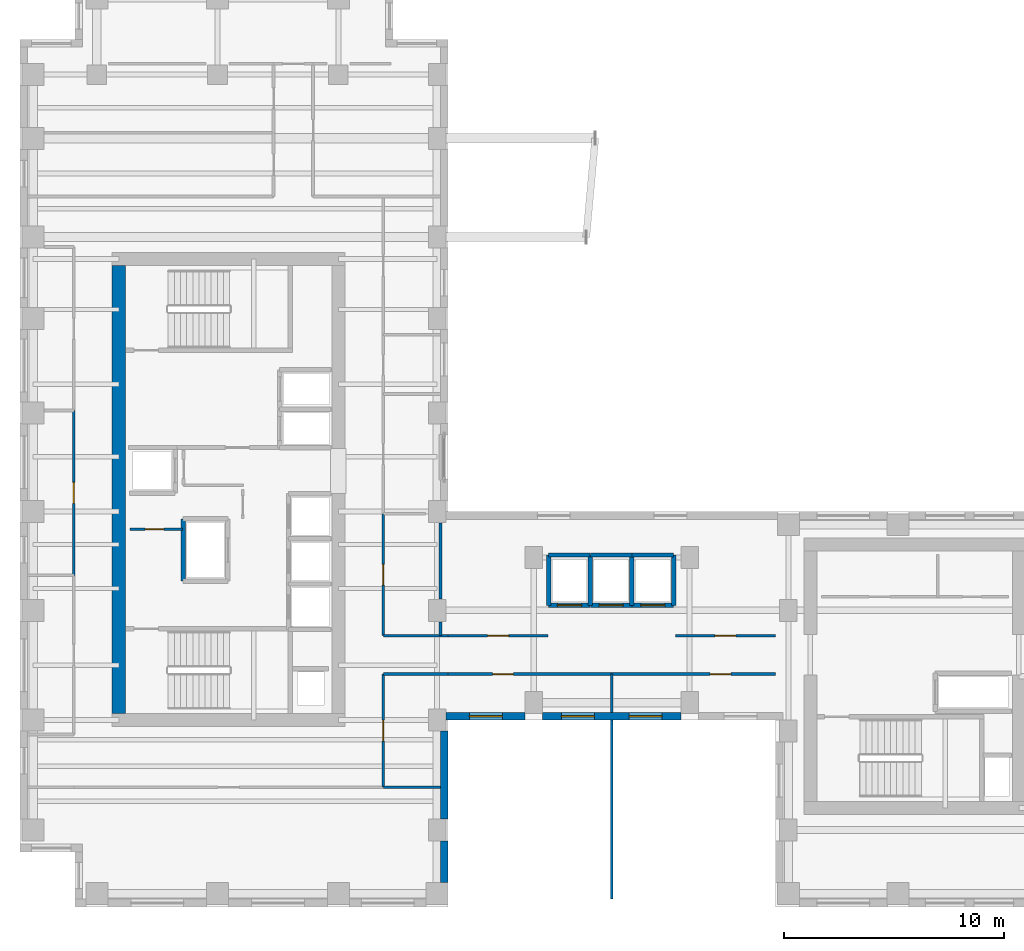
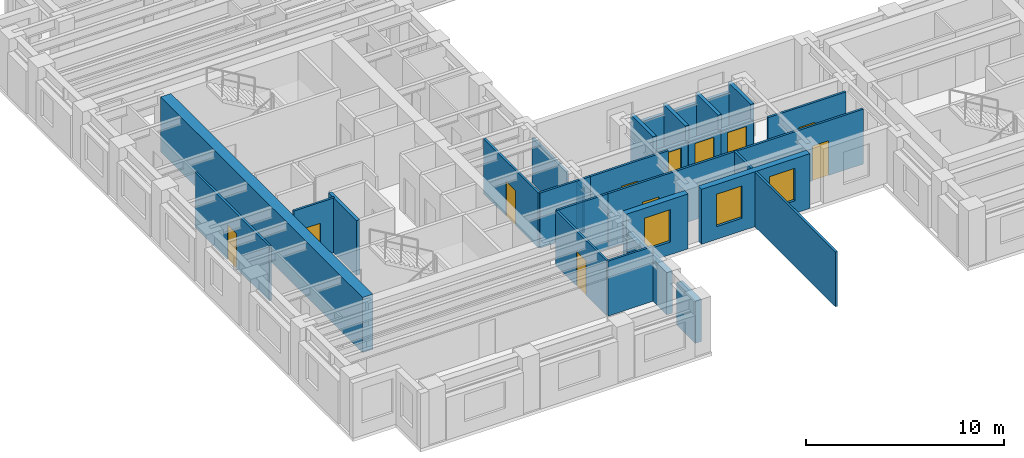
# One storey, part 6 of 13: 31 walls, 11 doors, 3 windows, 14 openings.
"""IFC4 building model written with IfcOpenShell, lengths in metres."""

from ifc_helpers import new_model, si_unit, direction, frame, frame_2d, origin, place, context, subcontext, project, spatial, rectangle, extrude, source, transform, mapped, material, layer, layer_set, type_object, element, fill, save


model = new_model("IFC4")

# Units and contexts
model_context = context("Model", 3, precision=1e-05, world=origin(), true_north=direction((0.0, 1.0)))
body_context = subcontext(model_context, "Body", "Model", "MODEL_VIEW")
ifc_project = project(units=[si_unit("LENGTHUNIT", "METRE"), si_unit("AREAUNIT", "SQUARE_METRE"), si_unit("VOLUMEUNIT", "CUBIC_METRE"), si_unit("PLANEANGLEUNIT", "RADIAN"), si_unit("MASSUNIT", "GRAM", prefix="KILO")], contexts=[model_context])

# Site, building, storey
site_placement = place(None, origin())
site = spatial("IfcSite", under=ifc_project, at=site_placement, CompositionType="ELEMENT")
building_placement = place(site_placement, origin())
building = spatial("IfcBuilding", under=site, at=building_placement, Name="Kharzan Plaza Tower", CompositionType="ELEMENT")
storey_placement = place(building_placement, frame((0.0, 0.0, 197.10009765625)))
storey = spatial("IfcBuildingStorey", under=building, at=storey_placement, Name="L53", CompositionType="ELEMENT", Elevation=197.10009765625)

# Wall, opening, window
ifc_material_1 = material(Name="Concrete C40/50", Category="concrete")
ifc_layer_1 = layer(ifc_material_1, 0.35009765625)
ifc_layer_set_1 = layer_set([ifc_layer_1], Name="Concrete C40/50")
wall_type_1 = type_object("IfcWallType", Name="WL-EXT-MAS-Z3", PredefinedType="SOLIDWALL", material=ifc_layer_set_1)
wall_1_placement = place(storey_placement, frame((19.39794921875, 8.675048828125, 0.0), z_axis=(0.0, 0.0, 1.0), x_axis=(1.0, 0.0, 0.0)))
wall_1 = element("IfcWall", 1, at=wall_1_placement, inside=storey, type_object=wall_type_1, Name="L53 Masonry-Frame Exterior Wall 26", PredefinedType="SOLIDWALL", context=body_context, shape_type="SweptSolid", body=[
    extrude(rectangle(XDim=3.60400390625, YDim=0.35009765625, at=frame_2d((1.802001953125, 0.0))), origin(), (0.0, 0.0, 1.0), 3.385009765625),
])
opening_1_placement = place(wall_1_placement, frame((1.067138671875, 0.0, 0.780029296875)))
opening_1 = element("IfcOpeningElement", 2, at=opening_1_placement, cuts=wall_1, Name="Opening W5", PredefinedType="OPENING", context=body_context, shape_type="SweptSolid", body=[
    extrude(rectangle(XDim=1.5, YDim=2.0, at=frame_2d((0.75, 1.0))), frame((0.0, 0.18505859375, 0.0), z_axis=(0.0, -1.0, 0.0), x_axis=(1.0, 0.0, 0.0)), (0.0, 0.0, 1.0), 0.3701171875),
])
ifc_material_2 = material(Name="Low-E Double Glazing", Category="glass")
window_type = type_object("IfcWindowType", Name="WN-SLT-1500x2000", PartitioningType="SINGLE_PANEL", PredefinedType="WINDOW", material=ifc_material_2)
shared_shape_1 = source(origin(), body_context, "Body", "SweptSolid", [
    extrude(rectangle(XDim=1.5, YDim=2.0, at=frame_2d((0.75, 1.0))), frame((0.0, 0.030029296875, 0.0), z_axis=(0.0, -1.0, 0.0), x_axis=(1.0, 0.0, 0.0)), (0.0, 0.0, 1.0), 0.06005859375),
])
window_1_placement = place(opening_1_placement, origin())
window_1 = element("IfcWindow", 3, at=window_1_placement, inside=storey, type_object=window_type, Name="L53 Recessed Solar-Control Window 26-1", OverallHeight=2.0, OverallWidth=1.5, PartitioningType="SINGLE_PANEL", PredefinedType="WINDOW", context=body_context, shape_type="MappedRepresentation", body=[
    mapped(shared_shape_1, transform((0.0, 0.0, 0.0), x_axis=(1.0, 0.0, 0.0), y_axis=(0.0, 1.0, 0.0), z_axis=(0.0, 0.0, 1.0))),
])
fill(opening_1, window_1)

# Wall, openings, windows
wall_2_placement = place(storey_placement, frame((23.798095703125, 8.675048828125, 0.0), z_axis=(0.0, 0.0, 1.0), x_axis=(1.0, 0.0, 0.0)))
wall_2 = element("IfcWall", 4, at=wall_2_placement, inside=storey, type_object=wall_type_1, Name="L53 Masonry-Frame Exterior Wall 27", PredefinedType="SOLIDWALL", context=body_context, shape_type="SweptSolid", body=[
    extrude(rectangle(XDim=6.303955078125, YDim=0.35009765625, at=frame_2d((3.15185546875, 0.0))), origin(), (0.0, 0.0, 1.0), 3.385009765625),
])
opening_2_placement = place(wall_2_placement, frame((0.861083984375, 0.0, 0.780029296875)))
opening_2 = element("IfcOpeningElement", 5, at=opening_2_placement, cuts=wall_2, Name="Opening W5", PredefinedType="OPENING", context=body_context, shape_type="SweptSolid", body=[
    extrude(rectangle(XDim=1.5, YDim=2.0, at=frame_2d((0.75, 1.0))), frame((0.0, 0.18505859375, 0.0), z_axis=(0.0, -1.0, 0.0), x_axis=(1.0, 0.0, 0.0)), (0.0, 0.0, 1.0), 0.3701171875),
])
opening_3_placement = place(wall_2_placement, frame((3.943115234375, 0.0, 0.780029296875)))
opening_3 = element("IfcOpeningElement", 6, at=opening_3_placement, cuts=wall_2, Name="Opening W5", PredefinedType="OPENING", context=body_context, shape_type="SweptSolid", body=[
    extrude(rectangle(XDim=1.5, YDim=2.0, at=frame_2d((0.75, 1.0))), frame((0.0, 0.18505859375, 0.0), z_axis=(0.0, -1.0, 0.0), x_axis=(1.0, 0.0, 0.0)), (0.0, 0.0, 1.0), 0.3701171875),
])
window_2_placement = place(opening_2_placement, origin())
window_2 = element("IfcWindow", 7, at=window_2_placement, inside=storey, type_object=window_type, Name="L53 Recessed Solar-Control Window 27-1", OverallHeight=2.0, OverallWidth=1.5, PartitioningType="SINGLE_PANEL", PredefinedType="WINDOW", context=body_context, shape_type="MappedRepresentation", body=[
    mapped(shared_shape_1, transform((0.0, 0.0, 0.0), x_axis=(1.0, 0.0, 0.0), y_axis=(0.0, 1.0, 0.0), z_axis=(0.0, 0.0, 1.0))),
])
fill(opening_2, window_2)
window_3_placement = place(opening_3_placement, origin())
window_3 = element("IfcWindow", 8, at=window_3_placement, inside=storey, type_object=window_type, Name="L53 Recessed Solar-Control Window 27-2", OverallHeight=2.0, OverallWidth=1.5, PartitioningType="SINGLE_PANEL", PredefinedType="WINDOW", context=body_context, shape_type="MappedRepresentation", body=[
    mapped(shared_shape_1, transform((0.0, 0.0, 0.0), x_axis=(1.0, 0.0, 0.0), y_axis=(0.0, 1.0, 0.0), z_axis=(0.0, 0.0, 1.0))),
])
fill(opening_3, window_3)

# Wall, opening, door
ifc_material_3 = material(Name="Fire-Rated Gypsum Board Partition", Category="gypsum")
ifc_layer_2 = layer(ifc_material_3, 0.125)
ifc_layer_set_2 = layer_set([ifc_layer_2], Name="Fire-Rated Gypsum Board Partition")
wall_type_2 = type_object("IfcWallType", Name="WL-INT-PART-125", PredefinedType="PARTITIONING", material=ifc_layer_set_2)
wall_3_placement = place(storey_placement, frame((5.0, 17.199951171875, 0.0), z_axis=(0.0, 0.0, 1.0), x_axis=(1.0, 0.0, 0.0)))
wall_3 = element("IfcWall", 9, at=wall_3_placement, inside=storey, type_object=wall_type_2, Name="L53 Interior Partition CA-K2N0", PredefinedType="PARTITIONING", context=body_context, shape_type="SweptSolid", body=[
    extrude(rectangle(XDim=2.39990234375, YDim=0.125, at=frame_2d((1.199951171875, 0.0))), origin(), (0.0, 0.0, 1.0), 3.385009765625),
])
opening_4_placement = place(wall_3_placement, frame((0.699951171875, 0.0, 0.0)))
opening_4 = element("IfcOpeningElement", 10, at=opening_4_placement, cuts=wall_3, Name="Opening RD1", PredefinedType="OPENING", context=body_context, shape_type="SweptSolid", body=[
    extrude(rectangle(XDim=0.85009765625, YDim=2.10009765625, at=frame_2d((0.425048828125, 1.050048828125))), frame((0.0, 0.072509765625, 0.0), z_axis=(0.0, -1.0, 0.0), x_axis=(1.0, 0.0, 0.0)), (0.0, 0.0, 1.0), 0.14501953125),
])
ifc_material_4 = material(Name="Powder-Coated Fire-Rated Steel", Category="steel")
door_type_1 = type_object("IfcDoorType", Name="DR-RISER-900", OperationType="NOTDEFINED", PredefinedType="DOOR", material=ifc_material_4)
shared_shape_2 = source(origin(), body_context, "Body", "SweptSolid", [
    extrude(rectangle(XDim=0.85009765625, YDim=2.10009765625, at=frame_2d((0.425048828125, 1.050048828125))), frame((0.0, 0.02490234375, 0.0), z_axis=(0.0, -1.0, 0.0), x_axis=(1.0, 0.0, 0.0)), (0.0, 0.0, 1.0), 0.050048828125),
])
door_1_placement = place(opening_4_placement, origin())
door_1 = element("IfcDoor", 11, at=door_1_placement, inside=storey, type_object=door_type_1, Name="L53 Core Electrical Store Door", OperationType="SINGLE_SWING_LEFT", OverallHeight=2.10009765625, OverallWidth=0.85009765625, PredefinedType="DOOR", context=body_context, shape_type="MappedRepresentation", body=[
    mapped(shared_shape_2, transform((0.0, 0.0, 0.0), x_axis=(1.0, 0.0, 0.0), y_axis=(0.0, 1.0, 0.0), z_axis=(0.0, 0.0, 1.0))),
])
fill(opening_4, door_1)

wall_4_placement = place(storey_placement, frame((16.550048828125, 12.35009765625, 0.0), z_axis=(0.0, 0.0, 1.0), x_axis=(0.0, 1.0, 0.0)))
wall_4 = element("IfcWall", 12, at=wall_4_placement, inside=storey, type_object=wall_type_2, Name="L53 Interior Partition SH-AEWN1", PredefinedType="PARTITIONING", context=body_context, shape_type="SweptSolid", body=[
    extrude(rectangle(XDim=5.5498046875, YDim=0.125, at=frame_2d((2.77490234375, 0.0))), origin(), (0.0, 0.0, 1.0), 3.385009765625),
])
opening_5_placement = place(wall_4_placement, frame((2.300048828125, 0.0, 0.0)))
opening_5 = element("IfcOpeningElement", 13, at=opening_5_placement, cuts=wall_4, Name="Opening OD1", PredefinedType="OPENING", context=body_context, shape_type="SweptSolid", body=[
    extrude(rectangle(XDim=0.949951171875, YDim=2.14990234375, at=frame_2d((0.47509765625, 1.074951171875))), frame((0.0, 0.072509765625, 0.0), z_axis=(0.0, -1.0, 0.0), x_axis=(1.0, 0.0, 0.0)), (0.0, 0.0, 1.0), 0.14501953125),
])
ifc_material_5 = material(Name="Acoustic Solid-Core Stained Oak", Category="timber")
door_type_2 = type_object("IfcDoorType", Name="DR-OFF-SINGLE", OperationType="NOTDEFINED", PredefinedType="DOOR", material=ifc_material_5)
shared_shape_3 = source(origin(), body_context, "Body", "SweptSolid", [
    extrude(rectangle(XDim=0.949951171875, YDim=2.14990234375, at=frame_2d((0.47509765625, 1.074951171875))), frame((0.0, 0.02490234375, 0.0), z_axis=(0.0, -1.0, 0.0), x_axis=(1.0, 0.0, 0.0)), (0.0, 0.0, 1.0), 0.050048828125),
])
door_2_placement = place(opening_5_placement, origin())
door_2 = element("IfcDoor", 14, at=door_2_placement, inside=storey, type_object=door_type_2, Name="L53 Slot Collaboration Door", OperationType="SINGLE_SWING_LEFT", OverallHeight=2.14990234375, OverallWidth=0.949951171875, PredefinedType="DOOR", context=body_context, shape_type="MappedRepresentation", body=[
    mapped(shared_shape_3, transform((0.0, 0.0, 0.0), x_axis=(1.0, 0.0, 0.0), y_axis=(0.0, 1.0, 0.0), z_axis=(0.0, 0.0, 1.0))),
])
fill(opening_5, door_2)

wall_5_placement = place(storey_placement, frame((16.550048828125, 5.449951171875, 0.0), z_axis=(0.0, 0.0, 1.0), x_axis=(0.0, 1.0, 0.0)))
wall_5 = element("IfcWall", 15, at=wall_5_placement, inside=storey, type_object=wall_type_2, Name="L53 Interior Partition SH-AEWS", PredefinedType="PARTITIONING", context=body_context, shape_type="SweptSolid", body=[
    extrude(rectangle(XDim=5.150146484375, YDim=0.125, at=frame_2d((2.5751953125, 0.0))), origin(), (0.0, 0.0, 1.0), 3.385009765625),
])
opening_6_placement = place(wall_5_placement, frame((2.10009765625, 0.0, 0.0)))
opening_6 = element("IfcOpeningElement", 16, at=opening_6_placement, cuts=wall_5, Name="Opening OD1", PredefinedType="OPENING", context=body_context, shape_type="SweptSolid", body=[
    extrude(rectangle(XDim=0.949951171875, YDim=2.14990234375, at=frame_2d((0.47509765625, 1.074951171875))), frame((0.0, 0.072509765625, 0.0), z_axis=(0.0, -1.0, 0.0), x_axis=(1.0, 0.0, 0.0)), (0.0, 0.0, 1.0), 0.14501953125),
])
door_3_placement = place(opening_6_placement, origin())
door_3 = element("IfcDoor", 17, at=door_3_placement, inside=storey, type_object=door_type_2, Name="L53 Slot South Office Door", OperationType="SINGLE_SWING_RIGHT", OverallHeight=2.14990234375, OverallWidth=0.949951171875, PredefinedType="DOOR", context=body_context, shape_type="MappedRepresentation", body=[
    mapped(shared_shape_3, transform((0.0, 0.0, 0.0), x_axis=(1.0, 0.0, 0.0), y_axis=(0.0, 1.0, 0.0), z_axis=(0.0, 0.0, 1.0))),
])
fill(opening_6, door_3)

wall_6_placement = place(storey_placement, frame((29.85009765625, 12.35009765625, 0.0), z_axis=(0.0, 0.0, 1.0), x_axis=(1.0, 0.0, 0.0)))
wall_6 = element("IfcWall", 18, at=wall_6_placement, inside=storey, type_object=wall_type_2, Name="L53 Interior Partition SH-SPNE1", PredefinedType="PARTITIONING", context=body_context, shape_type="SweptSolid", body=[
    extrude(rectangle(XDim=4.5498046875, YDim=0.125, at=frame_2d((2.27490234375, 0.0))), origin(), (0.0, 0.0, 1.0), 3.385009765625),
])
opening_7_placement = place(wall_6_placement, frame((1.800048828125, 0.0, 0.0)))
opening_7 = element("IfcOpeningElement", 19, at=opening_7_placement, cuts=wall_6, Name="Opening OD1", PredefinedType="OPENING", context=body_context, shape_type="SweptSolid", body=[
    extrude(rectangle(XDim=0.949951171875, YDim=2.14990234375, at=frame_2d((0.47509765625, 1.074951171875))), frame((0.0, 0.072509765625, 0.0), z_axis=(0.0, -1.0, 0.0), x_axis=(1.0, 0.0, 0.0)), (0.0, 0.0, 1.0), 0.14501953125),
])
door_4_placement = place(opening_7_placement, origin())
door_4 = element("IfcDoor", 20, at=door_4_placement, inside=storey, type_object=door_type_2, Name="L53 North-East Spine Door", OperationType="SINGLE_SWING_RIGHT", OverallHeight=2.14990234375, OverallWidth=0.949951171875, PredefinedType="DOOR", context=body_context, shape_type="MappedRepresentation", body=[
    mapped(shared_shape_3, transform((0.0, 0.0, 0.0), x_axis=(1.0, 0.0, 0.0), y_axis=(0.0, 1.0, 0.0), z_axis=(0.0, 0.0, 1.0))),
])
fill(opening_7, door_4)

wall_7_placement = place(storey_placement, frame((19.5, 12.35009765625, 0.0), z_axis=(0.0, 0.0, 1.0), x_axis=(1.0, 0.0, 0.0)))
wall_7 = element("IfcWall", 21, at=wall_7_placement, inside=storey, type_object=wall_type_2, Name="L53 Interior Partition SH-SPNW1", PredefinedType="PARTITIONING", context=body_context, shape_type="SweptSolid", body=[
    extrude(rectangle(XDim=4.550048828125, YDim=0.125, at=frame_2d((2.27490234375, 0.0))), origin(), (0.0, 0.0, 1.0), 3.385009765625),
])
opening_8_placement = place(wall_7_placement, frame((1.800048828125, 0.0, 0.0)))
opening_8 = element("IfcOpeningElement", 22, at=opening_8_placement, cuts=wall_7, Name="Opening OD1", PredefinedType="OPENING", context=body_context, shape_type="SweptSolid", body=[
    extrude(rectangle(XDim=0.949951171875, YDim=2.14990234375, at=frame_2d((0.47509765625, 1.074951171875))), frame((0.0, 0.072509765625, 0.0), z_axis=(0.0, -1.0, 0.0), x_axis=(1.0, 0.0, 0.0)), (0.0, 0.0, 1.0), 0.14501953125),
])
door_5_placement = place(opening_8_placement, origin())
door_5 = element("IfcDoor", 23, at=door_5_placement, inside=storey, type_object=door_type_2, Name="L53 North-West Spine Door", OperationType="SINGLE_SWING_LEFT", OverallHeight=2.14990234375, OverallWidth=0.949951171875, PredefinedType="DOOR", context=body_context, shape_type="MappedRepresentation", body=[
    mapped(shared_shape_3, transform((0.0, 0.0, 0.0), x_axis=(1.0, 0.0, 0.0), y_axis=(0.0, 1.0, 0.0), z_axis=(0.0, 0.0, 1.0))),
])
fill(opening_8, door_5)

wall_8_placement = place(storey_placement, frame((19.5, 10.60009765625, 0.0), z_axis=(0.0, 0.0, 1.0), x_axis=(1.0, 0.0, 0.0)))
wall_8 = element("IfcWall", 24, at=wall_8_placement, inside=storey, type_object=wall_type_2, Name="L53 Interior Partition SH-SPS1", PredefinedType="PARTITIONING", context=body_context, shape_type="SweptSolid", body=[
    extrude(rectangle(XDim=7.449951171875, YDim=0.125, at=frame_2d((3.72509765625, 0.0))), origin(), (0.0, 0.0, 1.0), 3.385009765625),
])
opening_9_placement = place(wall_8_placement, frame((2.02197265625, 0.0, 0.0)))
opening_9 = element("IfcOpeningElement", 25, at=opening_9_placement, cuts=wall_8, Name="Opening OD1", PredefinedType="OPENING", context=body_context, shape_type="SweptSolid", body=[
    extrude(rectangle(XDim=0.949951171875, YDim=2.14990234375, at=frame_2d((0.47509765625, 1.074951171875))), frame((0.0, 0.072509765625, 0.0), z_axis=(0.0, -1.0, 0.0), x_axis=(1.0, 0.0, 0.0)), (0.0, 0.0, 1.0), 0.14501953125),
])
door_6_placement = place(opening_9_placement, origin())
door_6 = element("IfcDoor", 26, at=door_6_placement, inside=storey, type_object=door_type_2, Name="L53 South Spine West Door", OperationType="SINGLE_SWING_LEFT", OverallHeight=2.14990234375, OverallWidth=0.949951171875, PredefinedType="DOOR", context=body_context, shape_type="MappedRepresentation", body=[
    mapped(shared_shape_3, transform((0.0, 0.0, 0.0), x_axis=(1.0, 0.0, 0.0), y_axis=(0.0, 1.0, 0.0), z_axis=(0.0, 0.0, 1.0))),
])
fill(opening_9, door_6)

wall_9_placement = place(storey_placement, frame((26.949951171875, 10.60009765625, 0.0), z_axis=(0.0, 0.0, 1.0), x_axis=(1.0, 0.0, 0.0)))
wall_9 = element("IfcWall", 27, at=wall_9_placement, inside=storey, type_object=wall_type_2, Name="L53 Interior Partition SH-SPS2", PredefinedType="PARTITIONING", context=body_context, shape_type="SweptSolid", body=[
    extrude(rectangle(XDim=7.449951171875, YDim=0.125, at=frame_2d((3.72509765625, 0.0))), origin(), (0.0, 0.0, 1.0), 3.385009765625),
])
opening_10_placement = place(wall_9_placement, frame((4.47802734375, 0.0, 0.0)))
opening_10 = element("IfcOpeningElement", 28, at=opening_10_placement, cuts=wall_9, Name="Opening OD1", PredefinedType="OPENING", context=body_context, shape_type="SweptSolid", body=[
    extrude(rectangle(XDim=0.949951171875, YDim=2.14990234375, at=frame_2d((0.47509765625, 1.074951171875))), frame((0.0, 0.072509765625, 0.0), z_axis=(0.0, -1.0, 0.0), x_axis=(1.0, 0.0, 0.0)), (0.0, 0.0, 1.0), 0.14501953125),
])
door_7_placement = place(opening_10_placement, origin())
door_7 = element("IfcDoor", 29, at=door_7_placement, inside=storey, type_object=door_type_2, Name="L53 South Spine East Door", OperationType="SINGLE_SWING_RIGHT", OverallHeight=2.14990234375, OverallWidth=0.949951171875, PredefinedType="DOOR", context=body_context, shape_type="MappedRepresentation", body=[
    mapped(shared_shape_3, transform((0.0, 0.0, 0.0), x_axis=(1.0, 0.0, 0.0), y_axis=(0.0, 1.0, 0.0), z_axis=(0.0, 0.0, 1.0))),
])
fill(opening_10, door_7)

wall_10_placement = place(storey_placement, frame((2.449951171875, 15.10009765625, 0.0), z_axis=(0.0, 0.0, 1.0), x_axis=(0.0, 1.0, 0.0)))
wall_10 = element("IfcWall", 30, at=wall_10_placement, inside=storey, type_object=wall_type_2, Name="L53 Interior Partition SH-WW-2", PredefinedType="PARTITIONING", context=body_context, shape_type="SweptSolid", body=[
    extrude(rectangle(XDim=7.5, YDim=0.125, at=frame_2d((3.75, 0.0))), origin(), (0.0, 0.0, 1.0), 3.385009765625),
])
opening_11_placement = place(wall_10_placement, frame((3.27490234375, 0.0, 0.0)))
opening_11 = element("IfcOpeningElement", 31, at=opening_11_placement, cuts=wall_10, Name="Opening OD1", PredefinedType="OPENING", context=body_context, shape_type="SweptSolid", body=[
    extrude(rectangle(XDim=0.949951171875, YDim=2.14990234375, at=frame_2d((0.47509765625, 1.074951171875))), frame((0.0, 0.072509765625, 0.0), z_axis=(0.0, -1.0, 0.0), x_axis=(1.0, 0.0, 0.0)), (0.0, 0.0, 1.0), 0.14501953125),
])
door_8_placement = place(opening_11_placement, origin())
door_8 = element("IfcDoor", 32, at=door_8_placement, inside=storey, type_object=door_type_2, Name="L53 Executive Boardroom Door", OperationType="SINGLE_SWING_LEFT", OverallHeight=2.14990234375, OverallWidth=0.949951171875, PredefinedType="DOOR", context=body_context, shape_type="MappedRepresentation", body=[
    mapped(shared_shape_3, transform((0.0, 0.0, 0.0), x_axis=(1.0, 0.0, 0.0), y_axis=(0.0, 1.0, 0.0), z_axis=(0.0, 0.0, 1.0))),
])
fill(opening_11, door_8)

ifc_layer_3 = layer(ifc_material_1, 0.199951171875)
ifc_layer_set_3 = layer_set([ifc_layer_3], Name="Concrete C40/50")
wall_type_3 = type_object("IfcWallType", Name="WL-INT-SHAFT-200", PredefinedType="PARTITIONING", material=ifc_layer_set_3)
wall_11_placement = place(storey_placement, frame((24.080078125, 13.72998046875, 0.0), z_axis=(0.0, 0.0, 1.0), x_axis=(1.0, 0.0, 0.0)))
wall_11 = element("IfcWall", 33, at=wall_11_placement, inside=storey, type_object=wall_type_3, Name="L53 Interior Partition SHF-PL-M1-S", PredefinedType="PARTITIONING", context=body_context, shape_type="SweptSolid", body=[
    extrude(rectangle(XDim=1.889892578125, YDim=0.199951171875, at=frame_2d((0.94482421875, 0.0))), origin(), (0.0, 0.0, 1.0), 2.4658203125),
])
opening_12_placement = place(wall_11_placement, frame((0.39501953125, 0.0, 0.0)))
opening_12 = element("IfcOpeningElement", 34, at=opening_12_placement, cuts=wall_11, Name="Opening LD", PredefinedType="OPENING", context=body_context, shape_type="SweptSolid", body=[
    extrude(rectangle(XDim=1.10009765625, YDim=2.199951171875, at=frame_2d((0.550048828125, 1.10009765625))), frame((0.0, 0.10986328125, 0.0), z_axis=(0.0, -1.0, 0.0), x_axis=(1.0, 0.0, 0.0)), (0.0, 0.0, 1.0), 0.219970703125),
])
ifc_material_6 = material(Name="Brushed Stainless Steel", Category="steel")
door_type_3 = type_object("IfcDoorType", Name="DR-LIFT-SLIDE", OperationType="SLIDING_TO_LEFT", PredefinedType="DOOR", material=ifc_material_6)
shared_shape_4 = source(origin(), body_context, "Body", "SweptSolid", [
    extrude(rectangle(XDim=1.10009765625, YDim=2.199951171875, at=frame_2d((0.550048828125, 1.10009765625))), frame((0.0, 0.02490234375, 0.0), z_axis=(0.0, -1.0, 0.0), x_axis=(1.0, 0.0, 0.0)), (0.0, 0.0, 1.0), 0.050048828125),
])
door_9_placement = place(opening_12_placement, origin())
door_9 = element("IfcDoor", 35, at=door_9_placement, inside=storey, type_object=door_type_3, Name="L53 Mid-Rise Passenger Lift PL-M1 Sliding Landing Door", OperationType="SLIDING_TO_LEFT", OverallHeight=2.199951171875, OverallWidth=1.10009765625, PredefinedType="DOOR", context=body_context, shape_type="MappedRepresentation", body=[
    mapped(shared_shape_4, transform((0.0, 0.0, 0.0), x_axis=(1.0, 0.0, 0.0), y_axis=(0.0, 1.0, 0.0), z_axis=(0.0, 0.0, 1.0))),
])
fill(opening_12, door_9)

wall_12_placement = place(storey_placement, frame((25.97998046875, 13.72998046875, 0.0), z_axis=(0.0, 0.0, 1.0), x_axis=(1.0, 0.0, 0.0)))
wall_12 = element("IfcWall", 36, at=wall_12_placement, inside=storey, type_object=wall_type_3, Name="L53 Interior Partition SHF-PL-M2-S", PredefinedType="PARTITIONING", context=body_context, shape_type="SweptSolid", body=[
    extrude(rectangle(XDim=1.89013671875, YDim=0.199951171875, at=frame_2d((0.945068359375, 0.0))), origin(), (0.0, 0.0, 1.0), 2.4658203125),
])
opening_13_placement = place(wall_12_placement, frame((0.39501953125, 0.0, 0.0)))
opening_13 = element("IfcOpeningElement", 37, at=opening_13_placement, cuts=wall_12, Name="Opening LD", PredefinedType="OPENING", context=body_context, shape_type="SweptSolid", body=[
    extrude(rectangle(XDim=1.10009765625, YDim=2.199951171875, at=frame_2d((0.550048828125, 1.10009765625))), frame((0.0, 0.10986328125, 0.0), z_axis=(0.0, -1.0, 0.0), x_axis=(1.0, 0.0, 0.0)), (0.0, 0.0, 1.0), 0.219970703125),
])
door_10_placement = place(opening_13_placement, origin())
door_10 = element("IfcDoor", 38, at=door_10_placement, inside=storey, type_object=door_type_3, Name="L53 Mid-Rise Passenger Lift PL-M2 Sliding Landing Door", OperationType="SLIDING_TO_LEFT", OverallHeight=2.199951171875, OverallWidth=1.10009765625, PredefinedType="DOOR", context=body_context, shape_type="MappedRepresentation", body=[
    mapped(shared_shape_4, transform((0.0, 0.0, 0.0), x_axis=(1.0, 0.0, 0.0), y_axis=(0.0, 1.0, 0.0), z_axis=(0.0, 0.0, 1.0))),
])
fill(opening_13, door_10)

wall_13_placement = place(storey_placement, frame((27.8798828125, 13.72998046875, 0.0), z_axis=(0.0, 0.0, 1.0), x_axis=(1.0, 0.0, 0.0)))
wall_13 = element("IfcWall", 39, at=wall_13_placement, inside=storey, type_object=wall_type_3, Name="L53 Interior Partition SHF-PL-M3-S", PredefinedType="PARTITIONING", context=body_context, shape_type="SweptSolid", body=[
    extrude(rectangle(XDim=1.89013671875, YDim=0.199951171875, at=frame_2d((0.945068359375, 0.0))), origin(), (0.0, 0.0, 1.0), 2.4658203125),
])
opening_14_placement = place(wall_13_placement, frame((0.39501953125, 0.0, 0.0)))
opening_14 = element("IfcOpeningElement", 40, at=opening_14_placement, cuts=wall_13, Name="Opening LD", PredefinedType="OPENING", context=body_context, shape_type="SweptSolid", body=[
    extrude(rectangle(XDim=1.10009765625, YDim=2.199951171875, at=frame_2d((0.550048828125, 1.10009765625))), frame((0.0, 0.10986328125, 0.0), z_axis=(0.0, -1.0, 0.0), x_axis=(1.0, 0.0, 0.0)), (0.0, 0.0, 1.0), 0.219970703125),
])
door_11_placement = place(opening_14_placement, origin())
door_11 = element("IfcDoor", 41, at=door_11_placement, inside=storey, type_object=door_type_3, Name="L53 Mid-Rise Passenger Lift PL-M3 Sliding Landing Door", OperationType="SLIDING_TO_LEFT", OverallHeight=2.199951171875, OverallWidth=1.10009765625, PredefinedType="DOOR", context=body_context, shape_type="MappedRepresentation", body=[
    mapped(shared_shape_4, transform((0.0, 0.0, 0.0), x_axis=(1.0, 0.0, 0.0), y_axis=(0.0, 1.0, 0.0), z_axis=(0.0, 0.0, 1.0))),
])
fill(opening_14, door_11)

# Walls
ifc_material_7 = material(Name="Concrete C50/60", Category="concrete")
ifc_layer_4 = layer(ifc_material_7, 0.60009765625)
ifc_layer_set_4 = layer_set([ifc_layer_4], Name="Concrete C50/60")
wall_type_4 = type_object("IfcWallType", Name="WL-CORE-600", PredefinedType="SHEAR", material=ifc_layer_set_4)
shared_shape_5 = source(origin(), body_context, "Body", "SweptSolid", [
    extrude(rectangle(XDim=20.39990234375, YDim=0.60009765625, at=frame_2d((10.199951171875, 0.0))), origin(), (0.0, 0.0, 1.0), 3.39990234375),
])
wall_14_placement = place(storey_placement, frame((4.5, 8.800048828125, 0.0), z_axis=(0.0, 0.0, 1.0), x_axis=(0.0, 1.0, 0.0)))
element("IfcWall", 42, at=wall_14_placement, inside=storey, type_object=wall_type_4, Name="L53 CORE-A west RC shear wall", PredefinedType="SHEAR", context=body_context, shape_type="MappedRepresentation", body=[
    mapped(shared_shape_5, transform((0.0, 0.0, 0.0), x_axis=(1.0, 0.0, 0.0), y_axis=(0.0, 1.0, 0.0), z_axis=(0.0, 0.0, 1.0))),
])
shared_shape_6 = source(origin(), body_context, "Body", "SweptSolid", [
    extrude(rectangle(XDim=1.904052734375, YDim=0.35009765625, at=frame_2d((0.9521484375, 0.0))), origin(), (0.0, 0.0, 1.0), 2.61181640625),
])
wall_15_placement = place(storey_placement, frame((19.324951171875, 1.097900390625, 0.0), z_axis=(0.0, 0.0, 1.0), x_axis=(0.0, 1.0, 0.0)))
element("IfcWall", 43, at=wall_15_placement, inside=storey, type_object=wall_type_1, Name="L53 Masonry-Frame Exterior Wall 24", PredefinedType="SOLIDWALL", context=body_context, shape_type="MappedRepresentation", body=[
    mapped(shared_shape_6, transform((0.0, 0.0, 0.0), x_axis=(1.0, 0.0, 0.0), y_axis=(0.0, 1.0, 0.0), z_axis=(0.0, 0.0, 1.0))),
])
shared_shape_7 = source(origin(), body_context, "Body", "SweptSolid", [
    extrude(rectangle(XDim=0.6298828125, YDim=0.125, at=frame_2d((0.31494140625, 0.0))), origin(), (0.0, 0.0, 1.0), 2.77294921875),
])
wall_16_placement = place(storey_placement, frame((19.14990234375, 12.35009765625, 0.0), z_axis=(0.0, 0.0, 1.0), x_axis=(0.0, 1.0, 0.0)))
element("IfcWall", 44, at=wall_16_placement, inside=storey, type_object=wall_type_2, Name="L53 Interior Partition SH-AEN-DIV-S1", PredefinedType="PARTITIONING", context=body_context, shape_type="MappedRepresentation", body=[
    mapped(shared_shape_7, transform((0.0, 0.0, 0.0), x_axis=(1.0, 0.0, 0.0), y_axis=(0.0, 1.0, 0.0), z_axis=(0.0, 0.0, 1.0))),
])
shared_shape_8 = source(origin(), body_context, "Body", "SweptSolid", [
    extrude(rectangle(XDim=3.4599609375, YDim=0.125, at=frame_2d((1.72998046875, 0.0))), origin(), (0.0, 0.0, 1.0), 2.77294921875),
])
wall_17_placement = place(storey_placement, frame((19.14990234375, 14.02001953125, 0.0), z_axis=(0.0, 0.0, 1.0), x_axis=(0.0, 1.0, 0.0)))
element("IfcWall", 45, at=wall_17_placement, inside=storey, type_object=wall_type_2, Name="L53 Interior Partition SH-AEN-DIV-S2", PredefinedType="PARTITIONING", context=body_context, shape_type="MappedRepresentation", body=[
    mapped(shared_shape_8, transform((0.0, 0.0, 0.0), x_axis=(1.0, 0.0, 0.0), y_axis=(0.0, 1.0, 0.0), z_axis=(0.0, 0.0, 1.0))),
])
shared_shape_9 = source(origin(), body_context, "Body", "SweptSolid", [
    extrude(rectangle(XDim=2.2900390625, YDim=0.199951171875, at=frame_2d((1.14501953125, 0.0))), origin(), (0.0, 0.0, 1.0), 3.385009765625),
])
for number, where, z_axis, x_axis, name in (
    (46, (25.969970703125, 13.72998046875, 0.0), (0.0, 0.0, 1.0), (0.0, 1.0, 0.0), "L53 Interior Partition SHF-PL-M1-E"),
    (47, (24.080078125, 13.72998046875, 0.0), (0.0, 0.0, 1.0), (0.0, 1.0, 0.0), "L53 Interior Partition SHF-PL-M1-W"),
    (48, (27.8701171875, 13.72998046875, 0.0), (0.0, 0.0, 1.0), (0.0, 1.0, 0.0), "L53 Interior Partition SHF-PL-M2-E"),
    (49, (29.77001953125, 13.72998046875, 0.0), (0.0, 0.0, 1.0), (0.0, 1.0, 0.0), "L53 Interior Partition SHF-PL-M3-E"),
):
    element("IfcWall", number, at=place(storey_placement, frame(where, z_axis=z_axis, x_axis=x_axis)), inside=storey, type_object=wall_type_3, Name=name, PredefinedType="PARTITIONING", context=body_context, shape_type="MappedRepresentation", body=[
        mapped(shared_shape_9, transform((0.0, 0.0, 0.0), x_axis=(1.0, 0.0, 0.0), y_axis=(0.0, 1.0, 0.0), z_axis=(0.0, 0.0, 1.0))),
    ])
shared_shape_10 = source(origin(), body_context, "Body", "SweptSolid", [
    extrude(rectangle(XDim=1.889892578125, YDim=0.199951171875, at=frame_2d((0.94482421875, 0.0))), origin(), (0.0, 0.0, 1.0), 2.77294921875),
])
wall_18_placement = place(storey_placement, frame((24.080078125, 16.02001953125, 0.0), z_axis=(0.0, 0.0, 1.0), x_axis=(1.0, 0.0, 0.0)))
element("IfcWall", 50, at=wall_18_placement, inside=storey, type_object=wall_type_3, Name="L53 Interior Partition SHF-PL-M1-N", PredefinedType="PARTITIONING", context=body_context, shape_type="MappedRepresentation", body=[
    mapped(shared_shape_10, transform((0.0, 0.0, 0.0), x_axis=(1.0, 0.0, 0.0), y_axis=(0.0, 1.0, 0.0), z_axis=(0.0, 0.0, 1.0))),
])
shared_shape_11 = source(origin(), body_context, "Body", "SweptSolid", [
    extrude(rectangle(XDim=1.89013671875, YDim=0.199951171875, at=frame_2d((0.945068359375, 0.0))), origin(), (0.0, 0.0, 1.0), 2.77294921875),
])
for number, where, z_axis, x_axis, name in (
    (51, (25.97998046875, 16.02001953125, 0.0), (0.0, 0.0, 1.0), (1.0, 0.0, 0.0), "L53 Interior Partition SHF-PL-M2-N"),
    (52, (27.8798828125, 16.02001953125, 0.0), (0.0, 0.0, 1.0), (1.0, 0.0, 0.0), "L53 Interior Partition SHF-PL-M3-N"),
):
    element("IfcWall", number, at=place(storey_placement, frame(where, z_axis=z_axis, x_axis=x_axis)), inside=storey, type_object=wall_type_3, Name=name, PredefinedType="PARTITIONING", context=body_context, shape_type="MappedRepresentation", body=[
        mapped(shared_shape_11, transform((0.0, 0.0, 0.0), x_axis=(1.0, 0.0, 0.0), y_axis=(0.0, 1.0, 0.0), z_axis=(0.0, 0.0, 1.0))),
    ])
shared_shape_12 = source(origin(), body_context, "Body", "SweptSolid", [
    extrude(rectangle(XDim=2.83984375, YDim=0.199951171875, at=frame_2d((1.419921875, 0.0))), origin(), (0.0, 0.0, 1.0), 3.385009765625),
])
wall_19_placement = place(storey_placement, frame((7.429931640625, 14.830078125, 0.0), z_axis=(0.0, 0.0, 1.0), x_axis=(0.0, 1.0, 0.0)))
element("IfcWall", 53, at=wall_19_placement, inside=storey, type_object=wall_type_3, Name="L53 Interior Partition SHF-SVL-1-W", PredefinedType="PARTITIONING", context=body_context, shape_type="MappedRepresentation", body=[
    mapped(shared_shape_12, transform((0.0, 0.0, 0.0), x_axis=(1.0, 0.0, 0.0), y_axis=(0.0, 1.0, 0.0), z_axis=(0.0, 0.0, 1.0))),
])
shared_shape_13 = source(origin(), body_context, "Body", "SweptSolid", [
    extrude(rectangle(XDim=2.597900390625, YDim=0.125, at=frame_2d((1.298828125, 0.0))), origin(), (0.0, 0.0, 1.0), 3.385009765625),
])
wall_20_placement = place(storey_placement, frame((16.550048828125, 5.449951171875, 0.0), z_axis=(0.0, 0.0, 1.0), x_axis=(1.0, 0.0, 0.0)))
element("IfcWall", 54, at=wall_20_placement, inside=storey, type_object=wall_type_2, Name="L53 Interior Partition SH-SSE-1", PredefinedType="PARTITIONING", context=body_context, shape_type="MappedRepresentation", body=[
    mapped(shared_shape_13, transform((0.0, 0.0, 0.0), x_axis=(1.0, 0.0, 0.0), y_axis=(0.0, 1.0, 0.0), z_axis=(0.0, 0.0, 1.0))),
])
shared_shape_14 = source(origin(), body_context, "Body", "SweptSolid", [
    extrude(rectangle(XDim=2.949951171875, YDim=0.125, at=frame_2d((1.47509765625, 0.0))), origin(), (0.0, 0.0, 1.0), 3.385009765625),
])
for number, where, z_axis, x_axis, name in (
    (55, (16.550048828125, 12.35009765625, 0.0), (0.0, 0.0, 1.0), (1.0, 0.0, 0.0), "L53 Interior Partition SH-SPNW0"),
    (56, (16.550048828125, 10.60009765625, 0.0), (0.0, 0.0, 1.0), (1.0, 0.0, 0.0), "L53 Interior Partition SH-SPS0"),
):
    element("IfcWall", number, at=place(storey_placement, frame(where, z_axis=z_axis, x_axis=x_axis)), inside=storey, type_object=wall_type_2, Name=name, PredefinedType="PARTITIONING", context=body_context, shape_type="MappedRepresentation", body=[
        mapped(shared_shape_14, transform((0.0, 0.0, 0.0), x_axis=(1.0, 0.0, 0.0), y_axis=(0.0, 1.0, 0.0), z_axis=(0.0, 0.0, 1.0))),
    ])
shared_shape_15 = source(origin(), body_context, "Body", "SweptSolid", [
    extrude(rectangle(XDim=8.14794921875, YDim=0.125, at=frame_2d((4.073974609375, 0.0))), origin(), (0.0, 0.0, 1.0), 3.385009765625),
])
wall_21_placement = place(storey_placement, frame((26.949951171875, 0.35009765625, 0.0), z_axis=(0.0, 0.0, 1.0), x_axis=(0.0, 1.0, 0.0)))
element("IfcWall", 57, at=wall_21_placement, inside=storey, type_object=wall_type_2, Name="L53 Interior Partition SH-SPSV1-S1", PredefinedType="PARTITIONING", context=body_context, shape_type="MappedRepresentation", body=[
    mapped(shared_shape_15, transform((0.0, 0.0, 0.0), x_axis=(1.0, 0.0, 0.0), y_axis=(0.0, 1.0, 0.0), z_axis=(0.0, 0.0, 1.0))),
])
shared_shape_16 = source(origin(), body_context, "Body", "SweptSolid", [
    extrude(rectangle(XDim=1.748046875, YDim=0.125, at=frame_2d((0.8740234375, 0.0))), origin(), (0.0, 0.0, 1.0), 3.385009765625),
])
wall_22_placement = place(storey_placement, frame((26.949951171875, 8.85205078125, 0.0), z_axis=(0.0, 0.0, 1.0), x_axis=(0.0, 1.0, 0.0)))
element("IfcWall", 58, at=wall_22_placement, inside=storey, type_object=wall_type_2, Name="L53 Interior Partition SH-SPSV1-S2", PredefinedType="PARTITIONING", context=body_context, shape_type="MappedRepresentation", body=[
    mapped(shared_shape_16, transform((0.0, 0.0, 0.0), x_axis=(1.0, 0.0, 0.0), y_axis=(0.0, 1.0, 0.0), z_axis=(0.0, 0.0, 1.0))),
])
shared_shape_17 = source(origin(), body_context, "Body", "SweptSolid", [
    extrude(rectangle(XDim=4.00390625, YDim=0.35009765625, at=frame_2d((2.001953125, 0.0))), origin(), (0.0, 0.0, 1.0), 2.61181640625),
])
wall_23_placement = place(storey_placement, frame((19.324951171875, 3.998046875, 0.0), z_axis=(0.0, 0.0, 1.0), x_axis=(0.0, 1.0, 0.0)))
element("IfcWall", 59, at=wall_23_placement, inside=storey, type_object=wall_type_1, Name="L53 Masonry-Frame Exterior Wall 25", PredefinedType="SOLIDWALL", context=body_context, shape_type="MappedRepresentation", body=[
    mapped(shared_shape_17, transform((0.0, 0.0, 0.0), x_axis=(1.0, 0.0, 0.0), y_axis=(0.0, 1.0, 0.0), z_axis=(0.0, 0.0, 1.0))),
])

save(model, "model.ifc")
